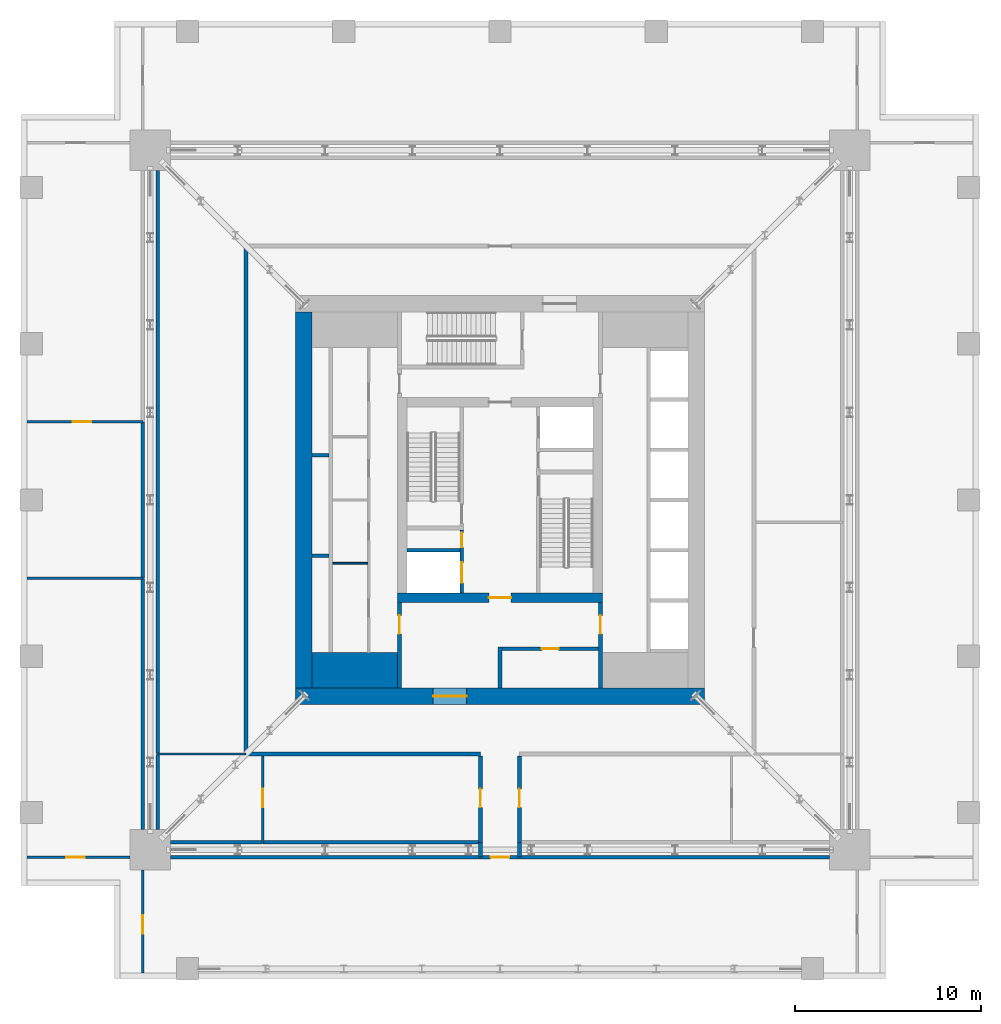
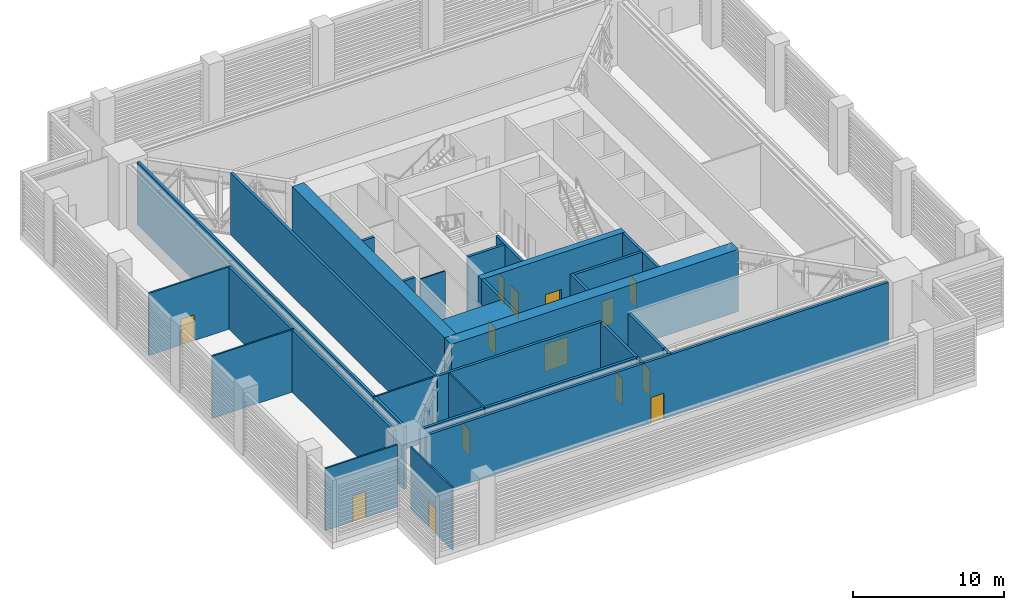
# One storey, part 9 of 16: 32 walls, 14 doors, 14 openings.
"""IFC4 building model written with IfcOpenShell, lengths in metres."""

from ifc_helpers import new_model, si_unit, direction, frame, frame_2d, origin, place, context, subcontext, project, spatial, rectangle, extrude, material, layer, layer_set, type_object, element, fill, save


model = new_model("IFC4")

# Units and contexts
model_context = context("Model", 3, precision=1e-05, world=origin(), true_north=direction((0.0, 1.0)))
body_context = subcontext(model_context, "Body", "Model", "MODEL_VIEW")
ifc_project = project(units=[si_unit("LENGTHUNIT", "METRE"), si_unit("AREAUNIT", "SQUARE_METRE"), si_unit("VOLUMEUNIT", "CUBIC_METRE"), si_unit("PLANEANGLEUNIT", "RADIAN"), si_unit("MASSUNIT", "GRAM", prefix="KILO")], contexts=[model_context])

# Site, building, storey
site_placement = place(None, origin())
site = spatial("IfcSite", under=ifc_project, at=site_placement, CompositionType="ELEMENT")
building_placement = place(site_placement, origin())
building = spatial("IfcBuilding", under=site, at=building_placement, Name="Khepri Terraces", CompositionType="ELEMENT")
storey_placement = place(building_placement, frame((0.0, 0.0, 287.39990234375)))
storey = spatial("IfcBuildingStorey", under=building, at=storey_placement, Name="L69", CompositionType="ELEMENT", Elevation=287.39990234375)

# Wall
ifc_material_1 = material(Name="Concrete C40/50", Category="concrete")
ifc_layer_1 = layer(ifc_material_1, 1.89990234375, Name="Concrete C40/50", Category="concrete")
ifc_layer_set_1 = layer_set([ifc_layer_1], Name="Concrete C40/50")
wall_type_1 = type_object("IfcWallType", Name="Core wall 1900 C40/50", PredefinedType="SHEAR", material=ifc_layer_set_1)
wall_1_placement = place(storey_placement, frame((-10.10009765625, -9.14990234375, 0.0), z_axis=(0.0, 0.0, 1.0), x_axis=(1.0, 0.0, 0.0)))
element("IfcWall", 1, at=wall_1_placement, inside=storey, type_object=wall_type_1, Name="Core wall PR01 L69", PredefinedType="SHEAR", context=body_context, shape_type="SweptSolid", body=[
    extrude(rectangle(XDim=4.60009765625, YDim=1.89990234375, at=frame_2d((2.300048828125, 0.0))), origin(), (0.0, 0.0, 1.0), 5.050048828125),
])

# Wall, openings, doors
ifc_layer_2 = layer(ifc_material_1, 0.199951171875, Name="Concrete C40/50", Category="concrete")
ifc_layer_set_2 = layer_set([ifc_layer_2], Name="Concrete C40/50")
wall_type_2 = type_object("IfcWallType", Name="Core wall 200 C40/50", PredefinedType="SHEAR", material=ifc_layer_set_2)
wall_2_placement = place(storey_placement, frame((-2.050048828125, -5.0, 0.0), z_axis=(0.0, 0.0, 1.0), x_axis=(0.0, 1.0, 0.0)))
wall_2 = element("IfcWall", 2, at=wall_2_placement, inside=storey, type_object=wall_type_2, Name="Core wall SH05 L69", PredefinedType="SHEAR", context=body_context, shape_type="SweptSolid", body=[
    extrude(rectangle(XDim=3.39990234375, YDim=0.199951171875, at=frame_2d((1.699951171875, 0.0))), origin(), (0.0, 0.0, 1.0), 5.050048828125),
])
opening_1_placement = place(wall_2_placement, frame((0.550048828125, 0.0, 0.0)))
opening_1 = element("IfcOpeningElement", 3, at=opening_1_placement, cuts=wall_2, Name="Opening L69-C02", PredefinedType="OPENING", context=body_context, shape_type="SweptSolid", body=[
    extrude(rectangle(XDim=1.10009765625, YDim=2.10009765625, at=frame_2d((0.550048828125, 1.050048828125))), frame((0.0, 0.10986328125, 0.0), z_axis=(0.0, -1.0, 0.0), x_axis=(1.0, 0.0, 0.0)), (0.0, 0.0, 1.0), 0.219970703125),
])
opening_2_placement = place(wall_2_placement, frame((2.449951171875, 0.0, 0.0)))
opening_2 = element("IfcOpeningElement", 4, at=opening_2_placement, cuts=wall_2, Name="Opening L69-C06", PredefinedType="OPENING", context=body_context, shape_type="SweptSolid", body=[
    extrude(rectangle(XDim=0.800048828125, YDim=2.10009765625, at=frame_2d((0.39990234375, 1.050048828125))), frame((0.0, 0.10986328125, 0.0), z_axis=(0.0, -1.0, 0.0), x_axis=(1.0, 0.0, 0.0)), (0.0, 0.0, 1.0), 0.219970703125),
])
ifc_material_2 = material(Name="Stainless steel 304", Category="steel")
door_type_1 = type_object("IfcDoorType", Name="DR-CORE-FF-LANDING-1100", OperationType="NOTDEFINED", PredefinedType="DOOR", material=ifc_material_2)
door_1_placement = place(opening_1_placement, origin())
door_1 = element("IfcDoor", 5, at=door_1_placement, inside=storey, type_object=door_type_1, Name="Firefighting lift landing door L69-C02", OperationType="SLIDING_TO_LEFT", OverallHeight=2.10009765625, OverallWidth=1.10009765625, PredefinedType="DOOR", context=body_context, shape_type="SweptSolid", body=[
    extrude(rectangle(XDim=1.10009765625, YDim=2.10009765625, at=frame_2d((0.550048828125, 1.050048828125))), frame((0.0, 0.02490234375, 0.0), z_axis=(0.0, -1.0, 0.0), x_axis=(1.0, 0.0, 0.0)), (0.0, 0.0, 1.0), 0.050048828125),
])
fill(opening_1, door_1)
ifc_material_3 = material(Name="Painted steel", Category="steel")
door_type_2 = type_object("IfcDoorType", Name="DR-CORE-RISER-800", OperationType="NOTDEFINED", PredefinedType="DOOR", material=ifc_material_3)
door_2_placement = place(opening_2_placement, origin())
door_2 = element("IfcDoor", 6, at=door_2_placement, inside=storey, type_object=door_type_2, Name="Riser door L69-C06", OperationType="SINGLE_SWING_RIGHT", OverallHeight=2.10009765625, OverallWidth=0.800048828125, PredefinedType="DOOR", context=body_context, shape_type="SweptSolid", body=[
    extrude(rectangle(XDim=0.800048828125, YDim=2.10009765625, at=frame_2d((0.39990234375, 1.050048828125))), frame((0.0, 0.02490234375, 0.0), z_axis=(0.0, -1.0, 0.0), x_axis=(1.0, 0.0, 0.0)), (0.0, 0.0, 1.0), 0.050048828125),
])
fill(opening_2, door_2)

# Walls
wall_3_placement = place(storey_placement, frame((-10.10009765625, -3.0, 0.0), z_axis=(0.0, 0.0, 1.0), x_axis=(1.0, 0.0, 0.0)))
element("IfcWall", 7, at=wall_3_placement, inside=storey, type_object=wall_type_2, Name="Core wall SH06 L69", PredefinedType="SHEAR", context=body_context, shape_type="SweptSolid", body=[
    extrude(rectangle(XDim=0.900146484375, YDim=0.199951171875, at=frame_2d((0.4501953125, 0.0))), origin(), (0.0, 0.0, 1.0), 5.050048828125),
])
wall_4_placement = place(storey_placement, frame((-5.0, -2.699951171875, 0.0), z_axis=(0.0, 0.0, 1.0), x_axis=(1.0, 0.0, 0.0)))
element("IfcWall", 8, at=wall_4_placement, inside=storey, type_object=wall_type_2, Name="Core wall SH07 L69", PredefinedType="SHEAR", context=body_context, shape_type="SweptSolid", body=[
    extrude(rectangle(XDim=2.85009765625, YDim=0.199951171875, at=frame_2d((1.425048828125, 0.0))), origin(), (0.0, 0.0, 1.0), 5.050048828125),
])
wall_5_placement = place(storey_placement, frame((-10.10009765625, 2.39990234375, 0.0), z_axis=(0.0, 0.0, 1.0), x_axis=(1.0, 0.0, 0.0)))
element("IfcWall", 9, at=wall_5_placement, inside=storey, type_object=wall_type_2, Name="Core wall SH11 L69", PredefinedType="SHEAR", context=body_context, shape_type="SweptSolid", body=[
    extrude(rectangle(XDim=0.900146484375, YDim=0.199951171875, at=frame_2d((0.4501953125, 0.0))), origin(), (0.0, 0.0, 1.0), 5.050048828125),
])

# Wall, opening, door
ifc_layer_3 = layer(ifc_material_1, 0.5, Name="Concrete C40/50", Category="concrete")
ifc_layer_set_3 = layer_set([ifc_layer_3], Name="Concrete C40/50")
wall_type_3 = type_object("IfcWallType", Name="Core wall 500 C40/50", PredefinedType="SHEAR", material=ifc_layer_set_3)
wall_6_placement = place(storey_placement, frame((-5.5, -5.25, 0.0), z_axis=(0.0, 0.0, 1.0), x_axis=(1.0, 0.0, 0.0)))
wall_6 = element("IfcWall", 10, at=wall_6_placement, inside=storey, type_object=wall_type_3, Name="Core wall BX01 L69", PredefinedType="SHEAR", context=body_context, shape_type="SweptSolid", body=[
    extrude(rectangle(XDim=11.0, YDim=0.5, at=frame_2d((5.5, 0.0))), origin(), (0.0, 0.0, 1.0), 5.050048828125),
])
opening_3_placement = place(wall_6_placement, frame((4.89990234375, 0.0, 0.0)))
opening_3 = element("IfcOpeningElement", 11, at=opening_3_placement, cuts=wall_6, Name="Opening L69-C08", PredefinedType="OPENING", context=body_context, shape_type="SweptSolid", body=[
    extrude(rectangle(XDim=1.199951171875, YDim=2.10009765625, at=frame_2d((0.60009765625, 1.050048828125))), frame((0.0, 0.260009765625, 0.0), z_axis=(0.0, -1.0, 0.0), x_axis=(1.0, 0.0, 0.0)), (0.0, 0.0, 1.0), 0.52001953125),
])
door_type_3 = type_object("IfcDoorType", Name="DR-CORE-FF-LOBBY-1200", OperationType="NOTDEFINED", PredefinedType="DOOR", material=ifc_material_3)
door_3_placement = place(opening_3_placement, origin())
door_3 = element("IfcDoor", 12, at=door_3_placement, inside=storey, type_object=door_type_3, Name="Firefighting lobby door L69-C08", OperationType="SINGLE_SWING_RIGHT", OverallHeight=2.10009765625, OverallWidth=1.199951171875, PredefinedType="DOOR", context=body_context, shape_type="SweptSolid", body=[
    extrude(rectangle(XDim=1.199951171875, YDim=2.10009765625, at=frame_2d((0.60009765625, 1.050048828125))), frame((0.0, 0.02490234375, 0.0), z_axis=(0.0, -1.0, 0.0), x_axis=(1.0, 0.0, 0.0)), (0.0, 0.0, 1.0), 0.050048828125),
])
fill(opening_3, door_3)

ifc_layer_4 = layer(ifc_material_1, 0.89990234375, Name="Concrete C40/50", Category="concrete")
ifc_layer_set_4 = layer_set([ifc_layer_4], Name="Concrete C40/50")
wall_type_4 = type_object("IfcWallType", Name="Core wall 900 C40/50", PredefinedType="SHEAR", material=ifc_layer_set_4)
wall_7_placement = place(storey_placement, frame((-11.0, -10.550048828125, 0.0), z_axis=(0.0, 0.0, 1.0), x_axis=(1.0, 0.0, 0.0)))
wall_7 = element("IfcWall", 13, at=wall_7_placement, inside=storey, type_object=wall_type_4, Name="Core wall OW-S L69", PredefinedType="SHEAR", context=body_context, shape_type="SweptSolid", body=[
    extrude(rectangle(XDim=22.0, YDim=0.89990234375, at=frame_2d((11.0, 0.0))), origin(), (0.0, 0.0, 1.0), 5.050048828125),
])
opening_4_placement = place(wall_7_placement, frame((7.39990234375, 0.0, 0.0)))
opening_4 = element("IfcOpeningElement", 14, at=opening_4_placement, cuts=wall_7, Name="Opening L69-C15", PredefinedType="OPENING", context=body_context, shape_type="SweptSolid", body=[
    extrude(rectangle(XDim=1.800048828125, YDim=2.199951171875, at=frame_2d((0.89990234375, 1.10009765625))), frame((0.0, 0.4599609375, 0.0), z_axis=(0.0, -1.0, 0.0), x_axis=(1.0, 0.0, 0.0)), (0.0, 0.0, 1.0), 0.919921875),
])
door_type_4 = type_object("IfcDoorType", Name="DR-CORE-ENTRANCE-1800", OperationType="NOTDEFINED", PredefinedType="DOOR", material=ifc_material_3)
door_4_placement = place(opening_4_placement, frame((1.800048828125, 0.0, 0.0), z_axis=(0.0, 0.0, 1.0), x_axis=(-1.0, 0.0, 0.0)))
door_4 = element("IfcDoor", 15, at=door_4_placement, inside=storey, type_object=door_type_4, Name="Core entrance door pair L69-C15", OperationType="DOUBLE_DOOR_SINGLE_SWING", OverallHeight=2.199951171875, OverallWidth=1.800048828125, PredefinedType="DOOR", context=body_context, shape_type="SweptSolid", body=[
    extrude(rectangle(XDim=1.800048828125, YDim=2.199951171875, at=frame_2d((0.89990234375, 1.10009765625))), frame((0.0, 0.02490234375, 0.0), z_axis=(0.0, -1.0, 0.0), x_axis=(1.0, 0.0, 0.0)), (0.0, 0.0, 1.0), 0.050048828125),
])
fill(opening_4, door_4)

# Walls
wall_8_placement = place(storey_placement, frame((-10.550048828125, -10.10009765625, 0.0), z_axis=(0.0, 0.0, 1.0), x_axis=(0.0, 1.0, 0.0)))
element("IfcWall", 16, at=wall_8_placement, inside=storey, type_object=wall_type_4, Name="Core wall OW-W L69", PredefinedType="SHEAR", context=body_context, shape_type="SweptSolid", body=[
    extrude(rectangle(XDim=20.2001953125, YDim=0.89990234375, at=frame_2d((10.10009765625, 0.0))), origin(), (0.0, 0.0, 1.0), 5.050048828125),
])
ifc_material_4 = material(Name="Fire-rated gypsum board partition")
ifc_layer_5 = layer(ifc_material_4, 0.10009765625, Name="Fire-rated gypsum board partition")
ifc_layer_set_5 = layer_set([ifc_layer_5], Name="Fire-rated gypsum board partition")
wall_type_5 = type_object("IfcWallType", Name="WL-CORE-PART-100", PredefinedType="PARTITIONING", material=ifc_layer_set_5)
wall_9_placement = place(storey_placement, frame((-9.0, -3.39990234375, 0.0), z_axis=(0.0, 0.0, 1.0), x_axis=(1.0, 0.0, 0.0)))
element("IfcWall", 17, at=wall_9_placement, inside=storey, type_object=wall_type_5, Name="Core partition PT06 L69", PredefinedType="PARTITIONING", context=body_context, shape_type="SweptSolid", body=[
    extrude(rectangle(XDim=1.89990234375, YDim=0.10009765625, at=frame_2d((0.949951171875, 0.0))), origin(), (0.0, 0.0, 1.0), 5.050048828125),
])

# Wall, opening, door
ifc_layer_6 = layer(ifc_material_4, 0.199951171875, Name="Fire-rated gypsum board partition")
ifc_layer_set_6 = layer_set([ifc_layer_6], Name="Fire-rated gypsum board partition")
wall_type_6 = type_object("IfcWallType", Name="WL-CORE-PART-200", PredefinedType="PARTITIONING", material=ifc_layer_set_6)
wall_10_placement = place(storey_placement, frame((-5.39990234375, -10.10009765625, 0.0), z_axis=(0.0, 0.0, 1.0), x_axis=(0.0, 1.0, 0.0)))
wall_10 = element("IfcWall", 18, at=wall_10_placement, inside=storey, type_object=wall_type_6, Name="Core partition PT01 L69", PredefinedType="PARTITIONING", context=body_context, shape_type="SweptSolid", body=[
    extrude(rectangle(XDim=4.60009765625, YDim=0.199951171875, at=frame_2d((2.300048828125, 0.0))), origin(), (0.0, 0.0, 1.0), 5.050048828125),
])
opening_5_placement = place(wall_10_placement, frame((2.89990234375, 0.0, 0.0)))
opening_5 = element("IfcOpeningElement", 19, at=opening_5_placement, cuts=wall_10, Name="Opening L69-C12", PredefinedType="OPENING", context=body_context, shape_type="SweptSolid", body=[
    extrude(rectangle(XDim=1.0, YDim=2.10009765625, at=frame_2d((0.5, 1.050048828125))), frame((0.0, 0.10986328125, 0.0), z_axis=(0.0, -1.0, 0.0), x_axis=(1.0, 0.0, 0.0)), (0.0, 0.0, 1.0), 0.219970703125),
])
door_type_5 = type_object("IfcDoorType", Name="DR-CORE-LOBBY-1000", OperationType="NOTDEFINED", PredefinedType="DOOR", material=ifc_material_3)
door_5_placement = place(opening_5_placement, frame((1.0, 0.0, 0.0), z_axis=(0.0, 0.0, 1.0), x_axis=(-1.0, 0.0, 0.0)))
door_5 = element("IfcDoor", 20, at=door_5_placement, inside=storey, type_object=door_type_5, Name="Lobby door L69-C12", OperationType="SINGLE_SWING_LEFT", OverallHeight=2.10009765625, OverallWidth=1.0, PredefinedType="DOOR", context=body_context, shape_type="SweptSolid", body=[
    extrude(rectangle(XDim=1.0, YDim=2.10009765625, at=frame_2d((0.5, 1.050048828125))), frame((0.0, 0.02490234375, 0.0), z_axis=(0.0, -1.0, 0.0), x_axis=(1.0, 0.0, 0.0)), (0.0, 0.0, 1.0), 0.050048828125),
])
fill(opening_5, door_5)

# Wall
wall_11_placement = place(storey_placement, frame((0.0, -10.10009765625, 0.0), z_axis=(0.0, 0.0, 1.0), x_axis=(0.0, 1.0, 0.0)))
element("IfcWall", 21, at=wall_11_placement, inside=storey, type_object=wall_type_6, Name="Core partition PT02 L69", PredefinedType="PARTITIONING", context=body_context, shape_type="SweptSolid", body=[
    extrude(rectangle(XDim=2.2001953125, YDim=0.199951171875, at=frame_2d((1.10009765625, 0.0))), origin(), (0.0, 0.0, 1.0), 5.050048828125),
])

# Wall, opening, door
wall_12_placement = place(storey_placement, frame((5.39990234375, -10.10009765625, 0.0), z_axis=(0.0, 0.0, 1.0), x_axis=(0.0, 1.0, 0.0)))
wall_12 = element("IfcWall", 22, at=wall_12_placement, inside=storey, type_object=wall_type_6, Name="Core partition PT03 L69", PredefinedType="PARTITIONING", context=body_context, shape_type="SweptSolid", body=[
    extrude(rectangle(XDim=4.60009765625, YDim=0.199951171875, at=frame_2d((2.300048828125, 0.0))), origin(), (0.0, 0.0, 1.0), 5.050048828125),
])
opening_6_placement = place(wall_12_placement, frame((2.89990234375, 0.0, 0.0)))
opening_6 = element("IfcOpeningElement", 23, at=opening_6_placement, cuts=wall_12, Name="Opening L69-C13", PredefinedType="OPENING", context=body_context, shape_type="SweptSolid", body=[
    extrude(rectangle(XDim=1.0, YDim=2.10009765625, at=frame_2d((0.5, 1.050048828125))), frame((0.0, 0.10986328125, 0.0), z_axis=(0.0, -1.0, 0.0), x_axis=(1.0, 0.0, 0.0)), (0.0, 0.0, 1.0), 0.219970703125),
])
door_6_placement = place(opening_6_placement, origin())
door_6 = element("IfcDoor", 24, at=door_6_placement, inside=storey, type_object=door_type_5, Name="Lobby door L69-C13", OperationType="SINGLE_SWING_RIGHT", OverallHeight=2.10009765625, OverallWidth=1.0, PredefinedType="DOOR", context=body_context, shape_type="SweptSolid", body=[
    extrude(rectangle(XDim=1.0, YDim=2.10009765625, at=frame_2d((0.5, 1.050048828125))), frame((0.0, 0.02490234375, 0.0), z_axis=(0.0, -1.0, 0.0), x_axis=(1.0, 0.0, 0.0)), (0.0, 0.0, 1.0), 0.050048828125),
])
fill(opening_6, door_6)

wall_13_placement = place(storey_placement, frame((0.10009765625, -8.0, 0.0), z_axis=(0.0, 0.0, 1.0), x_axis=(1.0, 0.0, 0.0)))
wall_13 = element("IfcWall", 25, at=wall_13_placement, inside=storey, type_object=wall_type_6, Name="Core partition PT05 L69", PredefinedType="PARTITIONING", context=body_context, shape_type="SweptSolid", body=[
    extrude(rectangle(XDim=5.199951171875, YDim=0.199951171875, at=frame_2d((2.60009765625, 0.0))), origin(), (0.0, 0.0, 1.0), 5.050048828125),
])
opening_7_placement = place(wall_13_placement, frame((2.14990234375, 0.0, 0.0)))
opening_7 = element("IfcOpeningElement", 26, at=opening_7_placement, cuts=wall_13, Name="Opening L69-C16", PredefinedType="OPENING", context=body_context, shape_type="SweptSolid", body=[
    extrude(rectangle(XDim=0.89990234375, YDim=2.10009765625, at=frame_2d((0.449951171875, 1.050048828125))), frame((0.0, 0.10986328125, 0.0), z_axis=(0.0, -1.0, 0.0), x_axis=(1.0, 0.0, 0.0)), (0.0, 0.0, 1.0), 0.219970703125),
])
door_type_6 = type_object("IfcDoorType", Name="DR-CORE-SERVICE-900", OperationType="NOTDEFINED", PredefinedType="DOOR", material=ifc_material_3)
door_7_placement = place(opening_7_placement, frame((0.89990234375, 0.0, 0.0), z_axis=(0.0, 0.0, 1.0), x_axis=(-1.0, 0.0, 0.0)))
door_7 = element("IfcDoor", 27, at=door_7_placement, inside=storey, type_object=door_type_6, Name="Service room door L69-C16", OperationType="SINGLE_SWING_LEFT", OverallHeight=2.10009765625, OverallWidth=0.89990234375, PredefinedType="DOOR", context=body_context, shape_type="SweptSolid", body=[
    extrude(rectangle(XDim=0.89990234375, YDim=2.10009765625, at=frame_2d((0.449951171875, 1.050048828125))), frame((0.0, 0.02490234375, 0.0), z_axis=(0.0, -1.0, 0.0), x_axis=(1.0, 0.0, 0.0)), (0.0, 0.0, 1.0), 0.050048828125),
])
fill(opening_7, door_7)

ifc_material_5 = material(Name="Fire-rated gypsum plasterboard partition, mineral wool")
ifc_layer_7 = layer(ifc_material_5, 0.199951171875, Name="Fire-rated gypsum plasterboard partition, mineral wool")
ifc_layer_set_7 = layer_set([ifc_layer_7], Name="Fire-rated gypsum plasterboard partition, mineral wool")
wall_type_7 = type_object("IfcWallType", Name="WL-CORR-200", PredefinedType="PARTITIONING", material=ifc_layer_set_7)
wall_14_placement = place(storey_placement, frame((-17.699951171875, -19.199951171875, 0.0), z_axis=(0.0, 0.0, 1.0), x_axis=(1.0, 0.0, 0.0)))
wall_14 = element("IfcWall", 28, at=wall_14_placement, inside=storey, type_object=wall_type_7, Name="Partition P-004 L69", PredefinedType="PARTITIONING", context=body_context, shape_type="SweptSolid", body=[
    extrude(rectangle(XDim=35.39990234375, YDim=0.199951171875, at=frame_2d((17.699951171875, 0.0))), origin(), (0.0, 0.0, 1.0), 5.050048828125),
])
opening_8_placement = place(wall_14_placement, frame((17.199951171875, 0.0, 0.0)))
opening_8 = element("IfcOpeningElement", 29, at=opening_8_placement, cuts=wall_14, Name="Opening D5", PredefinedType="OPENING", context=body_context, shape_type="SweptSolid", body=[
    extrude(rectangle(XDim=1.0, YDim=2.10009765625, at=frame_2d((0.5, 1.050048828125))), frame((0.0, 0.10986328125, 0.0), z_axis=(0.0, -1.0, 0.0), x_axis=(1.0, 0.0, 0.0)), (0.0, 0.0, 1.0), 0.219970703125),
])
ifc_material_6 = material(Name="Painted galvanised door leaf, plant room")
door_type_7 = type_object("IfcDoorType", Name="DR-SRV-1000", OperationType="NOTDEFINED", PredefinedType="DOOR", material=ifc_material_6)
door_8_placement = place(opening_8_placement, frame((1.0, 0.0, 0.0), z_axis=(0.0, 0.0, 1.0), x_axis=(-1.0, 0.0, 0.0)))
door_8 = element("IfcDoor", 30, at=door_8_placement, inside=storey, type_object=door_type_7, Name="Door Generator Hall", OperationType="SINGLE_SWING_LEFT", OverallHeight=2.10009765625, OverallWidth=1.0, PredefinedType="DOOR", context=body_context, shape_type="SweptSolid", body=[
    extrude(rectangle(XDim=1.0, YDim=2.10009765625, at=frame_2d((0.5, 1.050048828125))), frame((0.0, 0.02490234375, 0.0), z_axis=(0.0, -1.0, 0.0), x_axis=(1.0, 0.0, 0.0)), (0.0, 0.0, 1.0), 0.050048828125),
])
fill(opening_8, door_8)

# Walls
for number, where, z_axis, x_axis, name in (
    (31, (-1.050048828125, -19.179931640625, 0.0), (0.0, 0.0, 1.0), (0.0, 1.0, 0.0), "Partition P-006 L69"),
    (32, (1.050048828125, -19.179931640625, 0.0), (0.0, 0.0, 1.0), (0.0, 1.0, 0.0), "Partition P-007 L69"),
):
    element("IfcWall", number, at=place(storey_placement, frame(where, z_axis=z_axis, x_axis=x_axis)), inside=storey, type_object=wall_type_7, Name=name, PredefinedType="PARTITIONING", context=body_context, shape_type="SweptSolid", body=[
        extrude(rectangle(XDim=0.760009765625, YDim=0.199951171875, at=frame_2d((0.3798828125, 0.0))), origin(), (0.0, 0.0, 1.0), 5.050048828125),
    ])
wall_15_placement = place(storey_placement, frame((-17.699951171875, -18.39990234375, 0.0), z_axis=(0.0, 0.0, 1.0), x_axis=(1.0, 0.0, 0.0)))
element("IfcWall", 33, at=wall_15_placement, inside=storey, type_object=wall_type_7, Name="Partition P-008 L69", PredefinedType="PARTITIONING", context=body_context, shape_type="SweptSolid", body=[
    extrude(rectangle(XDim=4.929931640625, YDim=0.199951171875, at=frame_2d((2.46484375, 0.0))), origin(), (0.0, 0.0, 1.0), 5.050048828125),
])
wall_16_placement = place(storey_placement, frame((-12.72998046875, -18.39990234375, 0.0), z_axis=(0.0, 0.0, 1.0), x_axis=(1.0, 0.0, 0.0)))
element("IfcWall", 34, at=wall_16_placement, inside=storey, type_object=wall_type_7, Name="Partition P-010 L69", PredefinedType="PARTITIONING", context=body_context, shape_type="SweptSolid", body=[
    extrude(rectangle(XDim=11.659912109375, YDim=0.199951171875, at=frame_2d((5.830078125, 0.0))), origin(), (0.0, 0.0, 1.0), 5.050048828125),
])

# Wall, opening, door
wall_17_placement = place(storey_placement, frame((-1.050048828125, -18.39990234375, 0.0), z_axis=(0.0, 0.0, 1.0), x_axis=(0.0, 1.0, 0.0)))
wall_17 = element("IfcWall", 35, at=wall_17_placement, inside=storey, type_object=wall_type_7, Name="Partition P-011 L69", PredefinedType="PARTITIONING", context=body_context, shape_type="SweptSolid", body=[
    extrude(rectangle(XDim=4.64990234375, YDim=0.199951171875, at=frame_2d((2.324951171875, 0.0))), origin(), (0.0, 0.0, 1.0), 5.050048828125),
])
opening_9_placement = place(wall_17_placement, frame((1.875, 0.0, 0.0)))
opening_9 = element("IfcOpeningElement", 36, at=opening_9_placement, cuts=wall_17, Name="Opening D5", PredefinedType="OPENING", context=body_context, shape_type="SweptSolid", body=[
    extrude(rectangle(XDim=1.0, YDim=2.10009765625, at=frame_2d((0.5, 1.050048828125))), frame((0.0, 0.10986328125, 0.0), z_axis=(0.0, -1.0, 0.0), x_axis=(1.0, 0.0, 0.0)), (0.0, 0.0, 1.0), 0.219970703125),
])
door_9_placement = place(opening_9_placement, origin())
door_9 = element("IfcDoor", 37, at=door_9_placement, inside=storey, type_object=door_type_7, Name="Door Generator Room", OperationType="SINGLE_SWING_RIGHT", OverallHeight=2.10009765625, OverallWidth=1.0, PredefinedType="DOOR", context=body_context, shape_type="SweptSolid", body=[
    extrude(rectangle(XDim=1.0, YDim=2.10009765625, at=frame_2d((0.5, 1.050048828125))), frame((0.0, 0.02490234375, 0.0), z_axis=(0.0, -1.0, 0.0), x_axis=(1.0, 0.0, 0.0)), (0.0, 0.0, 1.0), 0.050048828125),
])
fill(opening_9, door_9)

wall_18_placement = place(storey_placement, frame((1.050048828125, -18.39990234375, 0.0), z_axis=(0.0, 0.0, 1.0), x_axis=(0.0, 1.0, 0.0)))
wall_18 = element("IfcWall", 38, at=wall_18_placement, inside=storey, type_object=wall_type_7, Name="Partition P-012 L69", PredefinedType="PARTITIONING", context=body_context, shape_type="SweptSolid", body=[
    extrude(rectangle(XDim=4.64990234375, YDim=0.199951171875, at=frame_2d((2.324951171875, 0.0))), origin(), (0.0, 0.0, 1.0), 5.050048828125),
])
opening_10_placement = place(wall_18_placement, frame((1.875, 0.0, 0.0)))
opening_10 = element("IfcOpeningElement", 39, at=opening_10_placement, cuts=wall_18, Name="Opening D5", PredefinedType="OPENING", context=body_context, shape_type="SweptSolid", body=[
    extrude(rectangle(XDim=1.0, YDim=2.10009765625, at=frame_2d((0.5, 1.050048828125))), frame((0.0, 0.10986328125, 0.0), z_axis=(0.0, -1.0, 0.0), x_axis=(1.0, 0.0, 0.0)), (0.0, 0.0, 1.0), 0.219970703125),
])
door_10_placement = place(opening_10_placement, frame((1.0, 0.0, 0.0), z_axis=(0.0, 0.0, 1.0), x_axis=(-1.0, 0.0, 0.0)))
door_10 = element("IfcDoor", 40, at=door_10_placement, inside=storey, type_object=door_type_7, Name="Door Fuel Tank Room", OperationType="SINGLE_SWING_LEFT", OverallHeight=2.10009765625, OverallWidth=1.0, PredefinedType="DOOR", context=body_context, shape_type="SweptSolid", body=[
    extrude(rectangle(XDim=1.0, YDim=2.10009765625, at=frame_2d((0.5, 1.050048828125))), frame((0.0, 0.02490234375, 0.0), z_axis=(0.0, -1.0, 0.0), x_axis=(1.0, 0.0, 0.0)), (0.0, 0.0, 1.0), 0.050048828125),
])
fill(opening_10, door_10)

# Walls
wall_19_placement = place(storey_placement, frame((-19.199951171875, -17.699951171875, 0.0), z_axis=(0.0, 0.0, 1.0), x_axis=(0.0, 1.0, 0.0)))
element("IfcWall", 41, at=wall_19_placement, inside=storey, type_object=wall_type_7, Name="Partition P-016 L69", PredefinedType="PARTITIONING", context=body_context, shape_type="SweptSolid", body=[
    extrude(rectangle(XDim=13.47998046875, YDim=0.199951171875, at=frame_2d((6.739990234375, 0.0))), origin(), (0.0, 0.0, 1.0), 5.050048828125),
])
wall_20_placement = place(storey_placement, frame((-18.39990234375, -17.699951171875, 0.0), z_axis=(0.0, 0.0, 1.0), x_axis=(0.0, 1.0, 0.0)))
element("IfcWall", 42, at=wall_20_placement, inside=storey, type_object=wall_type_7, Name="Partition P-017 L69", PredefinedType="PARTITIONING", context=body_context, shape_type="SweptSolid", body=[
    extrude(rectangle(XDim=4.030029296875, YDim=0.199951171875, at=frame_2d((2.01513671875, 0.0))), origin(), (0.0, 0.0, 1.0), 5.050048828125),
])
wall_21_placement = place(storey_placement, frame((-13.64990234375, -13.64990234375, 0.0), z_axis=(0.0, 0.0, 1.0), x_axis=(1.0, 0.0, 0.0)))
element("IfcWall", 43, at=wall_21_placement, inside=storey, type_object=wall_type_7, Name="Partition P-021 L69", PredefinedType="PARTITIONING", context=body_context, shape_type="SweptSolid", body=[
    extrude(rectangle(XDim=12.599853515625, YDim=0.199951171875, at=frame_2d((6.2998046875, 0.0))), origin(), (0.0, 0.0, 1.0), 5.050048828125),
])
wall_22_placement = place(storey_placement, frame((-18.39990234375, -13.6298828125, 0.0), z_axis=(0.0, 0.0, 1.0), x_axis=(0.0, 1.0, 0.0)))
element("IfcWall", 44, at=wall_22_placement, inside=storey, type_object=wall_type_7, Name="Partition P-024 L69", PredefinedType="PARTITIONING", context=body_context, shape_type="SweptSolid", body=[
    extrude(rectangle(XDim=31.329833984375, YDim=0.199951171875, at=frame_2d((15.6650390625, 0.0))), origin(), (0.0, 0.0, 1.0), 5.050048828125),
])
wall_23_placement = place(storey_placement, frame((-13.64990234375, -13.550048828125, 0.0), z_axis=(0.0, 0.0, 1.0), x_axis=(0.0, 1.0, 0.0)))
element("IfcWall", 45, at=wall_23_placement, inside=storey, type_object=wall_type_7, Name="Partition P-026 L69", PredefinedType="PARTITIONING", context=body_context, shape_type="SweptSolid", body=[
    extrude(rectangle(XDim=27.10009765625, YDim=0.199951171875, at=frame_2d((13.550048828125, 0.0))), origin(), (0.0, 0.0, 1.0), 5.050048828125),
])
wall_24_placement = place(storey_placement, frame((-19.199951171875, -4.179931640625, 0.0), z_axis=(0.0, 0.0, 1.0), x_axis=(0.0, 1.0, 0.0)))
element("IfcWall", 46, at=wall_24_placement, inside=storey, type_object=wall_type_7, Name="Partition P-029 L69", PredefinedType="PARTITIONING", context=body_context, shape_type="SweptSolid", body=[
    extrude(rectangle(XDim=8.35986328125, YDim=0.199951171875, at=frame_2d((4.179931640625, 0.0))), origin(), (0.0, 0.0, 1.0), 5.050048828125),
])

# Wall, opening, door
ifc_material_7 = material(Name="Gypsum plasterboard partition")
ifc_layer_8 = layer(ifc_material_7, 0.1201171875, Name="Gypsum plasterboard partition")
ifc_layer_set_8 = layer_set([ifc_layer_8], Name="Gypsum plasterboard partition")
wall_type_8 = type_object("IfcWallType", Name="WL-PART-120", PredefinedType="PARTITIONING", material=ifc_layer_set_8)
wall_25_placement = place(storey_placement, frame((-19.199951171875, -25.419921875, 0.0), z_axis=(0.0, 0.0, 1.0), x_axis=(0.0, 1.0, 0.0)))
wall_25 = element("IfcWall", 47, at=wall_25_placement, inside=storey, type_object=wall_type_8, Name="Partition P-001 L69", PredefinedType="PARTITIONING", context=body_context, shape_type="SweptSolid", body=[
    extrude(rectangle(XDim=5.52001953125, YDim=0.1201171875, at=frame_2d((2.760009765625, 0.0))), origin(), (0.0, 0.0, 1.0), 5.050048828125),
])
opening_11_placement = place(wall_25_placement, frame((2.110107421875, 0.0, 0.0)))
opening_11 = element("IfcOpeningElement", 48, at=opening_11_placement, cuts=wall_25, Name="Opening D2", PredefinedType="OPENING", context=body_context, shape_type="SweptSolid", body=[
    extrude(rectangle(XDim=1.0, YDim=2.10009765625, at=frame_2d((0.5, 1.050048828125))), frame((0.0, 0.070068359375, 0.0), z_axis=(0.0, -1.0, 0.0), x_axis=(1.0, 0.0, 0.0)), (0.0, 0.0, 1.0), 0.14013671875),
])
ifc_material_8 = material(Name="Timber door leaf, living room door", Category="wood")
door_type_8 = type_object("IfcDoorType", Name="DR-INT-1000", OperationType="NOTDEFINED", PredefinedType="DOOR", material=ifc_material_8)
door_11_placement = place(opening_11_placement, origin())
door_11 = element("IfcDoor", 49, at=door_11_placement, inside=storey, type_object=door_type_8, Name="Door Electrical Switch Room", OperationType="SINGLE_SWING_LEFT", OverallHeight=2.10009765625, OverallWidth=1.0, PredefinedType="DOOR", context=body_context, shape_type="SweptSolid", body=[
    extrude(rectangle(XDim=1.0, YDim=2.10009765625, at=frame_2d((0.5, 1.050048828125))), frame((0.0, 0.02490234375, 0.0), z_axis=(0.0, -1.0, 0.0), x_axis=(1.0, 0.0, 0.0)), (0.0, 0.0, 1.0), 0.050048828125),
])
fill(opening_11, door_11)

wall_26_placement = place(storey_placement, frame((-25.419921875, -19.199951171875, 0.0), z_axis=(0.0, 0.0, 1.0), x_axis=(1.0, 0.0, 0.0)))
wall_26 = element("IfcWall", 50, at=wall_26_placement, inside=storey, type_object=wall_type_8, Name="Partition P-003 L69", PredefinedType="PARTITIONING", context=body_context, shape_type="SweptSolid", body=[
    extrude(rectangle(XDim=5.52001953125, YDim=0.1201171875, at=frame_2d((2.760009765625, 0.0))), origin(), (0.0, 0.0, 1.0), 5.050048828125),
])
opening_12_placement = place(wall_26_placement, frame((2.110107421875, 0.0, 0.0)))
opening_12 = element("IfcOpeningElement", 51, at=opening_12_placement, cuts=wall_26, Name="Opening D2", PredefinedType="OPENING", context=body_context, shape_type="SweptSolid", body=[
    extrude(rectangle(XDim=1.0, YDim=2.10009765625, at=frame_2d((0.5, 1.050048828125))), frame((0.0, 0.070068359375, 0.0), z_axis=(0.0, -1.0, 0.0), x_axis=(1.0, 0.0, 0.0)), (0.0, 0.0, 1.0), 0.14013671875),
])
door_12_placement = place(opening_12_placement, origin())
door_12 = element("IfcDoor", 52, at=door_12_placement, inside=storey, type_object=door_type_8, Name="Door Water Tank Room", OperationType="SINGLE_SWING_LEFT", OverallHeight=2.10009765625, OverallWidth=1.0, PredefinedType="DOOR", context=body_context, shape_type="SweptSolid", body=[
    extrude(rectangle(XDim=1.0, YDim=2.10009765625, at=frame_2d((0.5, 1.050048828125))), frame((0.0, 0.02490234375, 0.0), z_axis=(0.0, -1.0, 0.0), x_axis=(1.0, 0.0, 0.0)), (0.0, 0.0, 1.0), 0.050048828125),
])
fill(opening_12, door_12)

wall_27_placement = place(storey_placement, frame((-12.75, -18.39990234375, 0.0), z_axis=(0.0, 0.0, 1.0), x_axis=(0.0, 1.0, 0.0)))
wall_27 = element("IfcWall", 53, at=wall_27_placement, inside=storey, type_object=wall_type_8, Name="Partition P-009 L69", PredefinedType="PARTITIONING", context=body_context, shape_type="SweptSolid", body=[
    extrude(rectangle(XDim=4.64990234375, YDim=0.1201171875, at=frame_2d((2.324951171875, 0.0))), origin(), (0.0, 0.0, 1.0), 5.050048828125),
])
opening_13_placement = place(wall_27_placement, frame((1.875, 0.0, 0.0)))
opening_13 = element("IfcOpeningElement", 54, at=opening_13_placement, cuts=wall_27, Name="Opening D2", PredefinedType="OPENING", context=body_context, shape_type="SweptSolid", body=[
    extrude(rectangle(XDim=1.0, YDim=2.10009765625, at=frame_2d((0.5, 1.050048828125))), frame((0.0, 0.070068359375, 0.0), z_axis=(0.0, -1.0, 0.0), x_axis=(1.0, 0.0, 0.0)), (0.0, 0.0, 1.0), 0.14013671875),
])
door_13_placement = place(opening_13_placement, origin())
door_13 = element("IfcDoor", 55, at=door_13_placement, inside=storey, type_object=door_type_8, Name="Door Bms Control Room", OperationType="SINGLE_SWING_RIGHT", OverallHeight=2.10009765625, OverallWidth=1.0, PredefinedType="DOOR", context=body_context, shape_type="SweptSolid", body=[
    extrude(rectangle(XDim=1.0, YDim=2.10009765625, at=frame_2d((0.5, 1.050048828125))), frame((0.0, 0.02490234375, 0.0), z_axis=(0.0, -1.0, 0.0), x_axis=(1.0, 0.0, 0.0)), (0.0, 0.0, 1.0), 0.050048828125),
])
fill(opening_13, door_13)

# Walls
wall_28_placement = place(storey_placement, frame((-18.39990234375, -13.64990234375, 0.0), z_axis=(0.0, 0.0, 1.0), x_axis=(1.0, 0.0, 0.0)))
element("IfcWall", 56, at=wall_28_placement, inside=storey, type_object=wall_type_8, Name="Partition P-020 L69", PredefinedType="PARTITIONING", context=body_context, shape_type="SweptSolid", body=[
    extrude(rectangle(XDim=4.75, YDim=0.1201171875, at=frame_2d((2.375, 0.0))), origin(), (0.0, 0.0, 1.0), 5.050048828125),
])
wall_29_placement = place(storey_placement, frame((-25.419921875, -4.199951171875, 0.0), z_axis=(0.0, 0.0, 1.0), x_axis=(1.0, 0.0, 0.0)))
element("IfcWall", 57, at=wall_29_placement, inside=storey, type_object=wall_type_8, Name="Partition P-028 L69", PredefinedType="PARTITIONING", context=body_context, shape_type="SweptSolid", body=[
    extrude(rectangle(XDim=6.219970703125, YDim=0.1201171875, at=frame_2d((3.10986328125, 0.0))), origin(), (0.0, 0.0, 1.0), 5.050048828125),
])

# Wall, opening, door
wall_30_placement = place(storey_placement, frame((-25.419921875, 4.199951171875, 0.0), z_axis=(0.0, 0.0, 1.0), x_axis=(1.0, 0.0, 0.0)))
wall_30 = element("IfcWall", 58, at=wall_30_placement, inside=storey, type_object=wall_type_8, Name="Partition P-032 L69", PredefinedType="PARTITIONING", context=body_context, shape_type="SweptSolid", body=[
    extrude(rectangle(XDim=6.219970703125, YDim=0.1201171875, at=frame_2d((3.10986328125, 0.0))), origin(), (0.0, 0.0, 1.0), 5.050048828125),
])
opening_14_placement = place(wall_30_placement, frame((2.4599609375, 0.0, 0.0)))
opening_14 = element("IfcOpeningElement", 59, at=opening_14_placement, cuts=wall_30, Name="Opening D2", PredefinedType="OPENING", context=body_context, shape_type="SweptSolid", body=[
    extrude(rectangle(XDim=1.0, YDim=2.10009765625, at=frame_2d((0.5, 1.050048828125))), frame((0.0, 0.070068359375, 0.0), z_axis=(0.0, -1.0, 0.0), x_axis=(1.0, 0.0, 0.0)), (0.0, 0.0, 1.0), 0.14013671875),
])
door_14_placement = place(opening_14_placement, frame((1.0, 0.0, 0.0), z_axis=(0.0, 0.0, 1.0), x_axis=(-1.0, 0.0, 0.0)))
door_14 = element("IfcDoor", 60, at=door_14_placement, inside=storey, type_object=door_type_8, Name="Door Communications Room", OperationType="SINGLE_SWING_RIGHT", OverallHeight=2.10009765625, OverallWidth=1.0, PredefinedType="DOOR", context=body_context, shape_type="SweptSolid", body=[
    extrude(rectangle(XDim=1.0, YDim=2.10009765625, at=frame_2d((0.5, 1.050048828125))), frame((0.0, 0.02490234375, 0.0), z_axis=(0.0, -1.0, 0.0), x_axis=(1.0, 0.0, 0.0)), (0.0, 0.0, 1.0), 0.050048828125),
])
fill(opening_14, door_14)

save(model, "model.ifc")
